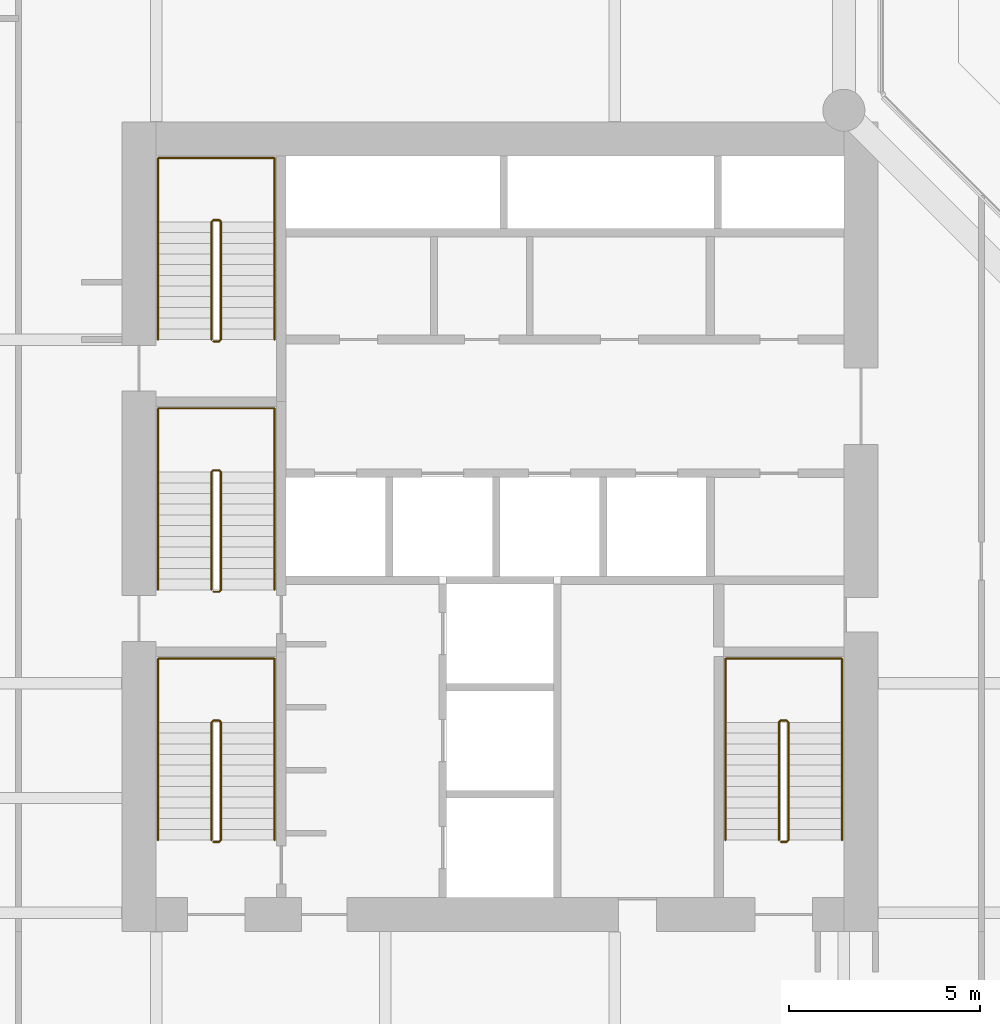
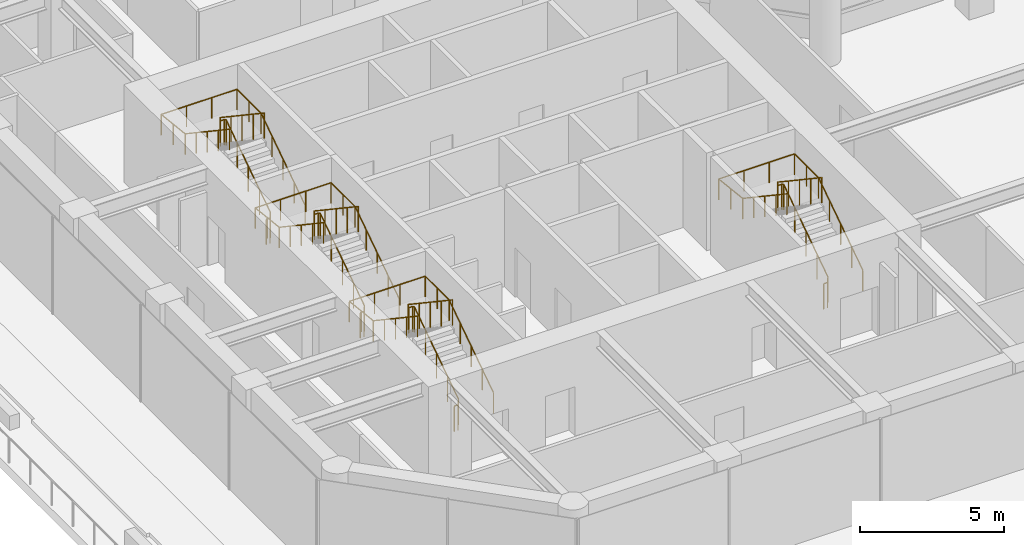
# One storey, part 30 of 31: 8 railings.
"""IFC4 building model written with IfcOpenShell, lengths in metres."""

from ifc_helpers import new_model, si_unit, direction, frame, origin, origin_2d, place, context, subcontext, project, spatial, circle, extrude, material, type_object, element, save


model = new_model("IFC4")

# Units and contexts
model_context = context("Model", 3, precision=1e-05, world=origin(), true_north=direction((0.0, 1.0)))
body_context = subcontext(model_context, "Body", "Model", "MODEL_VIEW")
ifc_project = project(units=[si_unit("LENGTHUNIT", "METRE"), si_unit("AREAUNIT", "SQUARE_METRE"), si_unit("VOLUMEUNIT", "CUBIC_METRE"), si_unit("PLANEANGLEUNIT", "RADIAN"), si_unit("MASSUNIT", "GRAM", prefix="KILO")], contexts=[model_context])

# Site, building, storey
site_placement = place(None, origin())
site = spatial("IfcSite", under=ifc_project, at=site_placement, CompositionType="ELEMENT")
building_placement = place(site_placement, origin())
building = spatial("IfcBuilding", under=site, at=building_placement, Name="Welwitschia Terrace Campus", CompositionType="ELEMENT")
storey_placement = place(building_placement, frame((0.0, 0.0, 11.0)))
storey = spatial("IfcBuildingStorey", under=building, at=storey_placement, Name="L02", CompositionType="ELEMENT", Elevation=11.0)

# Railings
ifc_material_1 = material(Name="Steel S355", Category="steel")
railing_type_1 = type_object("IfcRailingType", Name="Stair guard 1100", PredefinedType="GUARDRAIL", material=ifc_material_1)
railing_1_placement = place(storey_placement, frame((7.5, 6.85009765625, 0.0)))
element("IfcRailing", 1, at=railing_1_placement, inside=storey, type_object=railing_type_1, Name="L02 S1 stair guard", PredefinedType="GUARDRAIL", context=body_context, shape_type="SweptSolid", body=[
    extrude(circle(Radius=0.02392578125, at=origin_2d()), frame((0.0, 0.0, 1.076171875), z_axis=(1.0, 0.0, 0.0), x_axis=(0.0, 1.0, 0.0)), (0.0, 0.0, 1.0), 0.14990234375),
    extrude(circle(Radius=0.02392578125, at=origin_2d()), frame((0.14990234375, 0.0, 1.076171875), z_axis=(0.249802250048, 0.248583702486, 0.935844527007), x_axis=(-0.705375805398, 0.708833529934, 0.0)), (0.0, 0.0, 1.0), 0.200439453125),
    extrude(circle(Radius=0.02392578125, at=origin_2d()), frame((0.199951171875, 0.0498046875, 1.263671875), z_axis=(0.0, 0.830913701846, 0.55640131208), x_axis=(-1.0, 0.0, 0.0)), (0.0, 0.0, 1.0), 3.706787109375),
    extrude(circle(Radius=0.02392578125, at=origin_2d()), frame((0.199951171875, 3.1298828125, 3.326171875), z_axis=(-0.707106781187, 0.707106781187, 0.0), x_axis=(-0.707106781187, -0.707106781187, 0.0)), (0.0, 0.0, 1.0), 0.07080078125),
    extrude(circle(Radius=0.02392578125, at=origin_2d()), frame((0.14990234375, 3.179931640625, 3.326171875), z_axis=(-1.0, 0.0, 0.0), x_axis=(0.0, -1.0, 0.0)), (0.0, 0.0, 1.0), 0.14990234375),
    extrude(circle(Radius=0.02392578125, at=origin_2d()), frame((0.0, 3.179931640625, 3.326171875), z_axis=(-0.249726431254, -0.249726431254, 0.935560483917), x_axis=(0.707106781187, -0.707106781187, 0.0)), (0.0, 0.0, 1.0), 0.200439453125),
    extrude(circle(Radius=0.02392578125, at=origin_2d()), frame((-0.050048828125, 3.1298828125, 3.513671875), z_axis=(0.0, -0.830913701846, 0.55640131208), x_axis=(1.0, 0.0, 0.0)), (0.0, 0.0, 1.0), 3.706787109375),
    extrude(circle(Radius=0.02099609375, at=origin_2d()), origin(), (0.0, 0.0, 1.0), 1.052001953125),
    extrude(circle(Radius=0.02099609375, at=origin_2d()), frame((0.14990234375, 0.0, 0.0)), (0.0, 0.0, 1.0), 1.052001953125),
    extrude(circle(Radius=0.02099609375, at=origin_2d()), frame((0.199951171875, 0.0498046875, 0.1875)), (0.0, 0.0, 1.0), 1.052001953125),
    extrude(circle(Radius=0.02099609375, at=origin_2d()), frame((0.199951171875, 0.81982421875, 0.703125)), (0.0, 0.0, 1.0), 1.052001953125),
    extrude(circle(Radius=0.02099609375, at=origin_2d()), frame((0.199951171875, 1.58984375, 1.21875)), (0.0, 0.0, 1.0), 1.052001953125),
    extrude(circle(Radius=0.02099609375, at=origin_2d()), frame((0.199951171875, 2.35986328125, 1.734375)), (0.0, 0.0, 1.0), 1.052001953125),
    extrude(circle(Radius=0.02099609375, at=origin_2d()), frame((0.199951171875, 3.1298828125, 2.25)), (0.0, 0.0, 1.0), 1.052001953125),
    extrude(circle(Radius=0.02099609375, at=origin_2d()), frame((0.14990234375, 3.179931640625, 2.25)), (0.0, 0.0, 1.0), 1.052001953125),
    extrude(circle(Radius=0.02099609375, at=origin_2d()), frame((0.0, 3.179931640625, 2.25)), (0.0, 0.0, 1.0), 1.052001953125),
    extrude(circle(Radius=0.02099609375, at=origin_2d()), frame((-0.050048828125, 3.1298828125, 2.4375)), (0.0, 0.0, 1.0), 1.052001953125),
    extrude(circle(Radius=0.02099609375, at=origin_2d()), frame((-0.050048828125, 2.35986328125, 2.953125)), (0.0, 0.0, 1.0), 1.052001953125),
    extrude(circle(Radius=0.02099609375, at=origin_2d()), frame((-0.050048828125, 1.58984375, 3.46875)), (0.0, 0.0, 1.0), 1.052001953125),
    extrude(circle(Radius=0.02099609375, at=origin_2d()), frame((-0.050048828125, 0.81982421875, 3.984375)), (0.0, 0.0, 1.0), 1.052001953125),
    extrude(circle(Radius=0.02099609375, at=origin_2d()), frame((-0.050048828125, 0.0498046875, 4.5)), (0.0, 0.0, 1.0), 1.052001953125),
])
railing_2_placement = place(storey_placement, frame((7.5, 13.39990234375, 0.0)))
element("IfcRailing", 2, at=railing_2_placement, inside=storey, type_object=railing_type_1, Name="L02 S3 stair guard", PredefinedType="GUARDRAIL", context=body_context, shape_type="SweptSolid", body=[
    extrude(circle(Radius=0.02392578125, at=origin_2d()), frame((0.0, 0.0, 1.076171875), z_axis=(1.0, 0.0, 0.0), x_axis=(0.0, 1.0, 0.0)), (0.0, 0.0, 1.0), 0.14990234375),
    extrude(circle(Radius=0.02392578125, at=origin_2d()), frame((0.14990234375, 0.0, 1.076171875), z_axis=(0.249726431254, 0.249726431254, 0.935560483917), x_axis=(-0.707106781187, 0.707106781187, 0.0)), (0.0, 0.0, 1.0), 0.200439453125),
    extrude(circle(Radius=0.02392578125, at=origin_2d()), frame((0.199951171875, 0.050048828125, 1.263671875), z_axis=(0.0, 0.830913701846, 0.55640131208), x_axis=(-1.0, 0.0, 0.0)), (0.0, 0.0, 1.0), 3.706787109375),
    extrude(circle(Radius=0.02392578125, at=origin_2d()), frame((0.199951171875, 3.130126953125, 3.326171875), z_axis=(-0.707106781187, 0.707106781187, 0.0), x_axis=(-0.707106781187, -0.707106781187, 0.0)), (0.0, 0.0, 1.0), 0.07080078125),
    extrude(circle(Radius=0.02392578125, at=origin_2d()), frame((0.14990234375, 3.18017578125, 3.326171875), z_axis=(-1.0, 0.0, 0.0), x_axis=(0.0, -1.0, 0.0)), (0.0, 0.0, 1.0), 0.14990234375),
    extrude(circle(Radius=0.02392578125, at=origin_2d()), frame((0.0, 3.18017578125, 3.326171875), z_axis=(-0.249726431254, -0.249726431254, 0.935560483917), x_axis=(0.707106781187, -0.707106781187, 0.0)), (0.0, 0.0, 1.0), 0.200439453125),
    extrude(circle(Radius=0.02392578125, at=origin_2d()), frame((-0.050048828125, 3.130126953125, 3.513671875), z_axis=(0.0, -0.830913701846, 0.55640131208), x_axis=(1.0, 0.0, 0.0)), (0.0, 0.0, 1.0), 3.706787109375),
    extrude(circle(Radius=0.02099609375, at=origin_2d()), origin(), (0.0, 0.0, 1.0), 1.052001953125),
    extrude(circle(Radius=0.02099609375, at=origin_2d()), frame((0.14990234375, 0.0, 0.0)), (0.0, 0.0, 1.0), 1.052001953125),
    extrude(circle(Radius=0.02099609375, at=origin_2d()), frame((0.199951171875, 0.050048828125, 0.1875)), (0.0, 0.0, 1.0), 1.052001953125),
    extrude(circle(Radius=0.02099609375, at=origin_2d()), frame((0.199951171875, 0.820068359375, 0.703125)), (0.0, 0.0, 1.0), 1.052001953125),
    extrude(circle(Radius=0.02099609375, at=origin_2d()), frame((0.199951171875, 1.590087890625, 1.21875)), (0.0, 0.0, 1.0), 1.052001953125),
    extrude(circle(Radius=0.02099609375, at=origin_2d()), frame((0.199951171875, 2.360107421875, 1.734375)), (0.0, 0.0, 1.0), 1.052001953125),
    extrude(circle(Radius=0.02099609375, at=origin_2d()), frame((0.199951171875, 3.130126953125, 2.25)), (0.0, 0.0, 1.0), 1.052001953125),
    extrude(circle(Radius=0.02099609375, at=origin_2d()), frame((0.14990234375, 3.18017578125, 2.25)), (0.0, 0.0, 1.0), 1.052001953125),
    extrude(circle(Radius=0.02099609375, at=origin_2d()), frame((0.0, 3.18017578125, 2.25)), (0.0, 0.0, 1.0), 1.052001953125),
    extrude(circle(Radius=0.02099609375, at=origin_2d()), frame((-0.050048828125, 3.130126953125, 2.4375)), (0.0, 0.0, 1.0), 1.052001953125),
    extrude(circle(Radius=0.02099609375, at=origin_2d()), frame((-0.050048828125, 2.360107421875, 2.953125)), (0.0, 0.0, 1.0), 1.052001953125),
    extrude(circle(Radius=0.02099609375, at=origin_2d()), frame((-0.050048828125, 1.590087890625, 3.46875)), (0.0, 0.0, 1.0), 1.052001953125),
    extrude(circle(Radius=0.02099609375, at=origin_2d()), frame((-0.050048828125, 0.820068359375, 3.984375)), (0.0, 0.0, 1.0), 1.052001953125),
    extrude(circle(Radius=0.02099609375, at=origin_2d()), frame((-0.050048828125, 0.050048828125, 4.5)), (0.0, 0.0, 1.0), 1.052001953125),
])
railing_3_placement = place(storey_placement, frame((7.5, 19.949951171875, 0.0)))
element("IfcRailing", 3, at=railing_3_placement, inside=storey, type_object=railing_type_1, Name="L02 S4 stair guard", PredefinedType="GUARDRAIL", context=body_context, shape_type="SweptSolid", body=[
    extrude(circle(Radius=0.02392578125, at=origin_2d()), frame((0.0, 0.0, 1.076171875), z_axis=(1.0, 0.0, 0.0), x_axis=(0.0, 1.0, 0.0)), (0.0, 0.0, 1.0), 0.14990234375),
    extrude(circle(Radius=0.02392578125, at=origin_2d()), frame((0.14990234375, 0.0, 1.076171875), z_axis=(0.249726431254, 0.249726431254, 0.935560483917), x_axis=(-0.707106781187, 0.707106781187, 0.0)), (0.0, 0.0, 1.0), 0.200439453125),
    extrude(circle(Radius=0.02392578125, at=origin_2d()), frame((0.199951171875, 0.050048828125, 1.263671875), z_axis=(0.0, 0.830913701846, 0.55640131208), x_axis=(-1.0, 0.0, 0.0)), (0.0, 0.0, 1.0), 3.706787109375),
    extrude(circle(Radius=0.02392578125, at=origin_2d()), frame((0.199951171875, 3.130126953125, 3.326171875), z_axis=(-0.708833529934, 0.705375805398, 0.0), x_axis=(-0.705375805398, -0.708833529934, 0.0)), (0.0, 0.0, 1.0), 0.070556640625),
    extrude(circle(Radius=0.02392578125, at=origin_2d()), frame((0.14990234375, 3.179931640625, 3.326171875), z_axis=(-1.0, 0.0, 0.0), x_axis=(0.0, -1.0, 0.0)), (0.0, 0.0, 1.0), 0.14990234375),
    extrude(circle(Radius=0.02392578125, at=origin_2d()), frame((0.0, 3.179931640625, 3.326171875), z_axis=(-0.249802250048, -0.248583702486, 0.935844527007), x_axis=(0.705375805398, -0.708833529934, 0.0)), (0.0, 0.0, 1.0), 0.200439453125),
    extrude(circle(Radius=0.02392578125, at=origin_2d()), frame((-0.050048828125, 3.130126953125, 3.513671875), z_axis=(0.0, -0.830913701846, 0.55640131208), x_axis=(1.0, 0.0, 0.0)), (0.0, 0.0, 1.0), 3.706787109375),
    extrude(circle(Radius=0.02099609375, at=origin_2d()), origin(), (0.0, 0.0, 1.0), 1.052001953125),
    extrude(circle(Radius=0.02099609375, at=origin_2d()), frame((0.14990234375, 0.0, 0.0)), (0.0, 0.0, 1.0), 1.052001953125),
    extrude(circle(Radius=0.02099609375, at=origin_2d()), frame((0.199951171875, 0.050048828125, 0.1875)), (0.0, 0.0, 1.0), 1.052001953125),
    extrude(circle(Radius=0.02099609375, at=origin_2d()), frame((0.199951171875, 0.820068359375, 0.703125)), (0.0, 0.0, 1.0), 1.052001953125),
    extrude(circle(Radius=0.02099609375, at=origin_2d()), frame((0.199951171875, 1.590087890625, 1.21875)), (0.0, 0.0, 1.0), 1.052001953125),
    extrude(circle(Radius=0.02099609375, at=origin_2d()), frame((0.199951171875, 2.360107421875, 1.734375)), (0.0, 0.0, 1.0), 1.052001953125),
    extrude(circle(Radius=0.02099609375, at=origin_2d()), frame((0.199951171875, 3.130126953125, 2.25)), (0.0, 0.0, 1.0), 1.052001953125),
    extrude(circle(Radius=0.02099609375, at=origin_2d()), frame((0.14990234375, 3.179931640625, 2.25)), (0.0, 0.0, 1.0), 1.052001953125),
    extrude(circle(Radius=0.02099609375, at=origin_2d()), frame((0.0, 3.179931640625, 2.25)), (0.0, 0.0, 1.0), 1.052001953125),
    extrude(circle(Radius=0.02099609375, at=origin_2d()), frame((-0.050048828125, 3.130126953125, 2.4375)), (0.0, 0.0, 1.0), 1.052001953125),
    extrude(circle(Radius=0.02099609375, at=origin_2d()), frame((-0.050048828125, 2.360107421875, 2.953125)), (0.0, 0.0, 1.0), 1.052001953125),
    extrude(circle(Radius=0.02099609375, at=origin_2d()), frame((-0.050048828125, 1.590087890625, 3.46875)), (0.0, 0.0, 1.0), 1.052001953125),
    extrude(circle(Radius=0.02099609375, at=origin_2d()), frame((-0.050048828125, 0.820068359375, 3.984375)), (0.0, 0.0, 1.0), 1.052001953125),
    extrude(circle(Radius=0.02099609375, at=origin_2d()), frame((-0.050048828125, 0.050048828125, 4.5)), (0.0, 0.0, 1.0), 1.052001953125),
])
railing_4_placement = place(storey_placement, frame((22.35009765625, 6.85009765625, 0.0)))
element("IfcRailing", 4, at=railing_4_placement, inside=storey, type_object=railing_type_1, Name="L02 S2 stair guard", PredefinedType="GUARDRAIL", context=body_context, shape_type="SweptSolid", body=[
    extrude(circle(Radius=0.02392578125, at=origin_2d()), frame((0.0, 0.0, 1.076171875), z_axis=(1.0, 0.0, 0.0), x_axis=(0.0, 1.0, 0.0)), (0.0, 0.0, 1.0), 0.14990234375),
    extrude(circle(Radius=0.02392578125, at=origin_2d()), frame((0.14990234375, 0.0, 1.076171875), z_axis=(0.249802250048, 0.248583702486, 0.935844527007), x_axis=(-0.705375805398, 0.708833529934, 0.0)), (0.0, 0.0, 1.0), 0.200439453125),
    extrude(circle(Radius=0.02392578125, at=origin_2d()), frame((0.199951171875, 0.0498046875, 1.263671875), z_axis=(0.0, 0.830913701846, 0.55640131208), x_axis=(-1.0, 0.0, 0.0)), (0.0, 0.0, 1.0), 3.706787109375),
    extrude(circle(Radius=0.02392578125, at=origin_2d()), frame((0.199951171875, 3.1298828125, 3.326171875), z_axis=(-0.707106781187, 0.707106781187, 0.0), x_axis=(-0.707106781187, -0.707106781187, 0.0)), (0.0, 0.0, 1.0), 0.07080078125),
    extrude(circle(Radius=0.02392578125, at=origin_2d()), frame((0.14990234375, 3.179931640625, 3.326171875), z_axis=(-1.0, 0.0, 0.0), x_axis=(0.0, -1.0, 0.0)), (0.0, 0.0, 1.0), 0.14990234375),
    extrude(circle(Radius=0.02392578125, at=origin_2d()), frame((0.0, 3.179931640625, 3.326171875), z_axis=(-0.249726431254, -0.249726431254, 0.935560483917), x_axis=(0.707106781187, -0.707106781187, 0.0)), (0.0, 0.0, 1.0), 0.200439453125),
    extrude(circle(Radius=0.02392578125, at=origin_2d()), frame((-0.050048828125, 3.1298828125, 3.513671875), z_axis=(0.0, -0.830913701846, 0.55640131208), x_axis=(1.0, 0.0, 0.0)), (0.0, 0.0, 1.0), 3.706787109375),
    extrude(circle(Radius=0.02099609375, at=origin_2d()), origin(), (0.0, 0.0, 1.0), 1.052001953125),
    extrude(circle(Radius=0.02099609375, at=origin_2d()), frame((0.14990234375, 0.0, 0.0)), (0.0, 0.0, 1.0), 1.052001953125),
    extrude(circle(Radius=0.02099609375, at=origin_2d()), frame((0.199951171875, 0.0498046875, 0.1875)), (0.0, 0.0, 1.0), 1.052001953125),
    extrude(circle(Radius=0.02099609375, at=origin_2d()), frame((0.199951171875, 0.81982421875, 0.703125)), (0.0, 0.0, 1.0), 1.052001953125),
    extrude(circle(Radius=0.02099609375, at=origin_2d()), frame((0.199951171875, 1.58984375, 1.21875)), (0.0, 0.0, 1.0), 1.052001953125),
    extrude(circle(Radius=0.02099609375, at=origin_2d()), frame((0.199951171875, 2.35986328125, 1.734375)), (0.0, 0.0, 1.0), 1.052001953125),
    extrude(circle(Radius=0.02099609375, at=origin_2d()), frame((0.199951171875, 3.1298828125, 2.25)), (0.0, 0.0, 1.0), 1.052001953125),
    extrude(circle(Radius=0.02099609375, at=origin_2d()), frame((0.14990234375, 3.179931640625, 2.25)), (0.0, 0.0, 1.0), 1.052001953125),
    extrude(circle(Radius=0.02099609375, at=origin_2d()), frame((0.0, 3.179931640625, 2.25)), (0.0, 0.0, 1.0), 1.052001953125),
    extrude(circle(Radius=0.02099609375, at=origin_2d()), frame((-0.050048828125, 3.1298828125, 2.4375)), (0.0, 0.0, 1.0), 1.052001953125),
    extrude(circle(Radius=0.02099609375, at=origin_2d()), frame((-0.050048828125, 2.35986328125, 2.953125)), (0.0, 0.0, 1.0), 1.052001953125),
    extrude(circle(Radius=0.02099609375, at=origin_2d()), frame((-0.050048828125, 1.58984375, 3.46875)), (0.0, 0.0, 1.0), 1.052001953125),
    extrude(circle(Radius=0.02099609375, at=origin_2d()), frame((-0.050048828125, 0.81982421875, 3.984375)), (0.0, 0.0, 1.0), 1.052001953125),
    extrude(circle(Radius=0.02099609375, at=origin_2d()), frame((-0.050048828125, 0.0498046875, 4.5)), (0.0, 0.0, 1.0), 1.052001953125),
])
ifc_material_2 = material(Name="Steel S355", Category="steel")
railing_type_2 = type_object("IfcRailingType", Name="Stair handrail 900", PredefinedType="HANDRAIL", material=ifc_material_2)
railing_5_placement = place(storey_placement, frame((9.10009765625, 6.89990234375, 0.1875)))
element("IfcRailing", 5, at=railing_5_placement, inside=storey, type_object=railing_type_2, Name="L02 S1 stair handrail", PredefinedType="HANDRAIL", context=body_context, shape_type="SweptSolid", body=[
    extrude(circle(Radius=0.02392578125, at=origin_2d()), frame((0.0, 0.0, 0.8759765625), z_axis=(0.0, 0.830913701846, 0.55640131208), x_axis=(-1.0, 0.0, 0.0)), (0.0, 0.0, 1.0), 3.706787109375),
    extrude(circle(Radius=0.02392578125, at=origin_2d()), frame((0.0, 3.080078125, 2.9384765625), z_axis=(0.0, 1.0, 0.0), x_axis=(-1.0, 0.0, 0.0)), (0.0, 0.0, 1.0), 1.669921875),
    extrude(circle(Radius=0.02392578125, at=origin_2d()), frame((0.0, 4.75, 2.9384765625), z_axis=(-1.0, 0.0, 0.0), x_axis=(0.0, -1.0, 0.0)), (0.0, 0.0, 1.0), 3.050048828125),
    extrude(circle(Radius=0.02392578125, at=origin_2d()), frame((-3.050048828125, 4.75, 2.9384765625), z_axis=(0.0, -0.993755503435, 0.111579565298), x_axis=(1.0, 0.0, 0.0)), (0.0, 0.0, 1.0), 1.680419921875),
    extrude(circle(Radius=0.02392578125, at=origin_2d()), frame((-3.050048828125, 3.080078125, 3.1259765625), z_axis=(0.0, -0.830913701846, 0.55640131208), x_axis=(1.0, 0.0, 0.0)), (0.0, 0.0, 1.0), 3.706787109375),
    extrude(circle(Radius=0.02099609375, at=origin_2d()), origin(), (0.0, 0.0, 1.0), 0.851806640625),
    extrude(circle(Radius=0.02099609375, at=origin_2d()), frame((0.0, 0.77001953125, 0.515625)), (0.0, 0.0, 1.0), 0.851806640625),
    extrude(circle(Radius=0.02099609375, at=origin_2d()), frame((0.0, 1.5400390625, 1.03125)), (0.0, 0.0, 1.0), 0.851806640625),
    extrude(circle(Radius=0.02099609375, at=origin_2d()), frame((0.0, 2.31005859375, 1.546875)), (0.0, 0.0, 1.0), 0.851806640625),
    extrude(circle(Radius=0.02099609375, at=origin_2d()), frame((0.0, 3.080078125, 2.0625)), (0.0, 0.0, 1.0), 0.851806640625),
    extrude(circle(Radius=0.02099609375, at=origin_2d()), frame((0.0, 3.9150390625, 2.0625)), (0.0, 0.0, 1.0), 0.851806640625),
    extrude(circle(Radius=0.02099609375, at=origin_2d()), frame((0.0, 4.75, 2.0625)), (0.0, 0.0, 1.0), 0.851806640625),
    extrude(circle(Radius=0.02099609375, at=origin_2d()), frame((-1.0166015625, 4.75, 2.0625)), (0.0, 0.0, 1.0), 0.851806640625),
    extrude(circle(Radius=0.02099609375, at=origin_2d()), frame((-2.033447265625, 4.75, 2.0625)), (0.0, 0.0, 1.0), 0.851806640625),
    extrude(circle(Radius=0.02099609375, at=origin_2d()), frame((-3.050048828125, 4.75, 2.0625)), (0.0, 0.0, 1.0), 0.851806640625),
    extrude(circle(Radius=0.02099609375, at=origin_2d()), frame((-3.050048828125, 3.9150390625, 2.15625)), (0.0, 0.0, 1.0), 0.851806640625),
    extrude(circle(Radius=0.02099609375, at=origin_2d()), frame((-3.050048828125, 3.080078125, 2.25)), (0.0, 0.0, 1.0), 0.851806640625),
    extrude(circle(Radius=0.02099609375, at=origin_2d()), frame((-3.050048828125, 2.31005859375, 2.765625)), (0.0, 0.0, 1.0), 0.851806640625),
    extrude(circle(Radius=0.02099609375, at=origin_2d()), frame((-3.050048828125, 1.5400390625, 3.28125)), (0.0, 0.0, 1.0), 0.851806640625),
    extrude(circle(Radius=0.02099609375, at=origin_2d()), frame((-3.050048828125, 0.77001953125, 3.796875)), (0.0, 0.0, 1.0), 0.851806640625),
    extrude(circle(Radius=0.02099609375, at=origin_2d()), frame((-3.050048828125, 0.0, 4.3125)), (0.0, 0.0, 1.0), 0.851806640625),
])
railing_6_placement = place(storey_placement, frame((9.10009765625, 13.449951171875, 0.1875)))
element("IfcRailing", 6, at=railing_6_placement, inside=storey, type_object=railing_type_2, Name="L02 S3 stair handrail", PredefinedType="HANDRAIL", context=body_context, shape_type="SweptSolid", body=[
    extrude(circle(Radius=0.02392578125, at=origin_2d()), frame((0.0, 0.0, 0.8759765625), z_axis=(0.0, 0.830913701846, 0.55640131208), x_axis=(-1.0, 0.0, 0.0)), (0.0, 0.0, 1.0), 3.706787109375),
    extrude(circle(Radius=0.02392578125, at=origin_2d()), frame((0.0, 3.080078125, 2.9384765625), z_axis=(0.0, 1.0, 0.0), x_axis=(-1.0, 0.0, 0.0)), (0.0, 0.0, 1.0), 1.669921875),
    extrude(circle(Radius=0.02392578125, at=origin_2d()), frame((0.0, 4.75, 2.9384765625), z_axis=(-1.0, 0.0, 0.0), x_axis=(0.0, -1.0, 0.0)), (0.0, 0.0, 1.0), 3.050048828125),
    extrude(circle(Radius=0.02392578125, at=origin_2d()), frame((-3.050048828125, 4.75, 2.9384765625), z_axis=(0.0, -0.993755503435, 0.111579565298), x_axis=(1.0, 0.0, 0.0)), (0.0, 0.0, 1.0), 1.680419921875),
    extrude(circle(Radius=0.02392578125, at=origin_2d()), frame((-3.050048828125, 3.080078125, 3.1259765625), z_axis=(0.0, -0.830913701846, 0.55640131208), x_axis=(1.0, 0.0, 0.0)), (0.0, 0.0, 1.0), 3.706787109375),
    extrude(circle(Radius=0.02099609375, at=origin_2d()), origin(), (0.0, 0.0, 1.0), 0.851806640625),
    extrude(circle(Radius=0.02099609375, at=origin_2d()), frame((0.0, 0.77001953125, 0.515625)), (0.0, 0.0, 1.0), 0.851806640625),
    extrude(circle(Radius=0.02099609375, at=origin_2d()), frame((0.0, 1.5400390625, 1.03125)), (0.0, 0.0, 1.0), 0.851806640625),
    extrude(circle(Radius=0.02099609375, at=origin_2d()), frame((0.0, 2.31005859375, 1.546875)), (0.0, 0.0, 1.0), 0.851806640625),
    extrude(circle(Radius=0.02099609375, at=origin_2d()), frame((0.0, 3.080078125, 2.0625)), (0.0, 0.0, 1.0), 0.851806640625),
    extrude(circle(Radius=0.02099609375, at=origin_2d()), frame((0.0, 3.9150390625, 2.0625)), (0.0, 0.0, 1.0), 0.851806640625),
    extrude(circle(Radius=0.02099609375, at=origin_2d()), frame((0.0, 4.75, 2.0625)), (0.0, 0.0, 1.0), 0.851806640625),
    extrude(circle(Radius=0.02099609375, at=origin_2d()), frame((-1.0166015625, 4.75, 2.0625)), (0.0, 0.0, 1.0), 0.851806640625),
    extrude(circle(Radius=0.02099609375, at=origin_2d()), frame((-2.033447265625, 4.75, 2.0625)), (0.0, 0.0, 1.0), 0.851806640625),
    extrude(circle(Radius=0.02099609375, at=origin_2d()), frame((-3.050048828125, 4.75, 2.0625)), (0.0, 0.0, 1.0), 0.851806640625),
    extrude(circle(Radius=0.02099609375, at=origin_2d()), frame((-3.050048828125, 3.9150390625, 2.15625)), (0.0, 0.0, 1.0), 0.851806640625),
    extrude(circle(Radius=0.02099609375, at=origin_2d()), frame((-3.050048828125, 3.080078125, 2.25)), (0.0, 0.0, 1.0), 0.851806640625),
    extrude(circle(Radius=0.02099609375, at=origin_2d()), frame((-3.050048828125, 2.31005859375, 2.765625)), (0.0, 0.0, 1.0), 0.851806640625),
    extrude(circle(Radius=0.02099609375, at=origin_2d()), frame((-3.050048828125, 1.5400390625, 3.28125)), (0.0, 0.0, 1.0), 0.851806640625),
    extrude(circle(Radius=0.02099609375, at=origin_2d()), frame((-3.050048828125, 0.77001953125, 3.796875)), (0.0, 0.0, 1.0), 0.851806640625),
    extrude(circle(Radius=0.02099609375, at=origin_2d()), frame((-3.050048828125, 0.0, 4.3125)), (0.0, 0.0, 1.0), 0.851806640625),
])
railing_7_placement = place(storey_placement, frame((9.10009765625, 20.0, 0.1875)))
element("IfcRailing", 7, at=railing_7_placement, inside=storey, type_object=railing_type_2, Name="L02 S4 stair handrail", PredefinedType="HANDRAIL", context=body_context, shape_type="SweptSolid", body=[
    extrude(circle(Radius=0.02392578125, at=origin_2d()), frame((0.0, 0.0, 0.8759765625), z_axis=(0.0, 0.830913701846, 0.55640131208), x_axis=(-1.0, 0.0, 0.0)), (0.0, 0.0, 1.0), 3.706787109375),
    extrude(circle(Radius=0.02392578125, at=origin_2d()), frame((0.0, 3.080078125, 2.9384765625), z_axis=(0.0, 1.0, 0.0), x_axis=(-1.0, 0.0, 0.0)), (0.0, 0.0, 1.0), 1.669921875),
    extrude(circle(Radius=0.02392578125, at=origin_2d()), frame((0.0, 4.75, 2.9384765625), z_axis=(-1.0, 0.0, 0.0), x_axis=(0.0, -1.0, 0.0)), (0.0, 0.0, 1.0), 3.050048828125),
    extrude(circle(Radius=0.02392578125, at=origin_2d()), frame((-3.050048828125, 4.75, 2.9384765625), z_axis=(0.0, -0.993755503435, 0.111579565298), x_axis=(1.0, 0.0, 0.0)), (0.0, 0.0, 1.0), 1.680419921875),
    extrude(circle(Radius=0.02392578125, at=origin_2d()), frame((-3.050048828125, 3.080078125, 3.1259765625), z_axis=(0.0, -0.830913701846, 0.55640131208), x_axis=(1.0, 0.0, 0.0)), (0.0, 0.0, 1.0), 3.706787109375),
    extrude(circle(Radius=0.02099609375, at=origin_2d()), origin(), (0.0, 0.0, 1.0), 0.851806640625),
    extrude(circle(Radius=0.02099609375, at=origin_2d()), frame((0.0, 0.77001953125, 0.515625)), (0.0, 0.0, 1.0), 0.851806640625),
    extrude(circle(Radius=0.02099609375, at=origin_2d()), frame((0.0, 1.5400390625, 1.03125)), (0.0, 0.0, 1.0), 0.851806640625),
    extrude(circle(Radius=0.02099609375, at=origin_2d()), frame((0.0, 2.31005859375, 1.546875)), (0.0, 0.0, 1.0), 0.851806640625),
    extrude(circle(Radius=0.02099609375, at=origin_2d()), frame((0.0, 3.080078125, 2.0625)), (0.0, 0.0, 1.0), 0.851806640625),
    extrude(circle(Radius=0.02099609375, at=origin_2d()), frame((0.0, 3.9150390625, 2.0625)), (0.0, 0.0, 1.0), 0.851806640625),
    extrude(circle(Radius=0.02099609375, at=origin_2d()), frame((0.0, 4.75, 2.0625)), (0.0, 0.0, 1.0), 0.851806640625),
    extrude(circle(Radius=0.02099609375, at=origin_2d()), frame((-1.0166015625, 4.75, 2.0625)), (0.0, 0.0, 1.0), 0.851806640625),
    extrude(circle(Radius=0.02099609375, at=origin_2d()), frame((-2.033447265625, 4.75, 2.0625)), (0.0, 0.0, 1.0), 0.851806640625),
    extrude(circle(Radius=0.02099609375, at=origin_2d()), frame((-3.050048828125, 4.75, 2.0625)), (0.0, 0.0, 1.0), 0.851806640625),
    extrude(circle(Radius=0.02099609375, at=origin_2d()), frame((-3.050048828125, 3.9150390625, 2.15625)), (0.0, 0.0, 1.0), 0.851806640625),
    extrude(circle(Radius=0.02099609375, at=origin_2d()), frame((-3.050048828125, 3.080078125, 2.25)), (0.0, 0.0, 1.0), 0.851806640625),
    extrude(circle(Radius=0.02099609375, at=origin_2d()), frame((-3.050048828125, 2.31005859375, 2.765625)), (0.0, 0.0, 1.0), 0.851806640625),
    extrude(circle(Radius=0.02099609375, at=origin_2d()), frame((-3.050048828125, 1.5400390625, 3.28125)), (0.0, 0.0, 1.0), 0.851806640625),
    extrude(circle(Radius=0.02099609375, at=origin_2d()), frame((-3.050048828125, 0.77001953125, 3.796875)), (0.0, 0.0, 1.0), 0.851806640625),
    extrude(circle(Radius=0.02099609375, at=origin_2d()), frame((-3.050048828125, 0.0, 4.3125)), (0.0, 0.0, 1.0), 0.851806640625),
])
railing_8_placement = place(storey_placement, frame((23.949951171875, 6.89990234375, 0.1875)))
element("IfcRailing", 8, at=railing_8_placement, inside=storey, type_object=railing_type_2, Name="L02 S2 stair handrail", PredefinedType="HANDRAIL", context=body_context, shape_type="SweptSolid", body=[
    extrude(circle(Radius=0.02392578125, at=origin_2d()), frame((0.0, 0.0, 0.8759765625), z_axis=(0.0, 0.830913701846, 0.55640131208), x_axis=(-1.0, 0.0, 0.0)), (0.0, 0.0, 1.0), 3.706787109375),
    extrude(circle(Radius=0.02392578125, at=origin_2d()), frame((0.0, 3.080078125, 2.9384765625), z_axis=(0.0, 1.0, 0.0), x_axis=(-1.0, 0.0, 0.0)), (0.0, 0.0, 1.0), 1.669921875),
    extrude(circle(Radius=0.02392578125, at=origin_2d()), frame((0.0, 4.75, 2.9384765625), z_axis=(-1.0, 0.0, 0.0), x_axis=(0.0, -1.0, 0.0)), (0.0, 0.0, 1.0), 3.050048828125),
    extrude(circle(Radius=0.02392578125, at=origin_2d()), frame((-3.050048828125, 4.75, 2.9384765625), z_axis=(0.0, -0.993755503435, 0.111579565298), x_axis=(1.0, 0.0, 0.0)), (0.0, 0.0, 1.0), 1.680419921875),
    extrude(circle(Radius=0.02392578125, at=origin_2d()), frame((-3.050048828125, 3.080078125, 3.1259765625), z_axis=(0.0, -0.830913701846, 0.55640131208), x_axis=(1.0, 0.0, 0.0)), (0.0, 0.0, 1.0), 3.706787109375),
    extrude(circle(Radius=0.02099609375, at=origin_2d()), origin(), (0.0, 0.0, 1.0), 0.851806640625),
    extrude(circle(Radius=0.02099609375, at=origin_2d()), frame((0.0, 0.77001953125, 0.515625)), (0.0, 0.0, 1.0), 0.851806640625),
    extrude(circle(Radius=0.02099609375, at=origin_2d()), frame((0.0, 1.5400390625, 1.03125)), (0.0, 0.0, 1.0), 0.851806640625),
    extrude(circle(Radius=0.02099609375, at=origin_2d()), frame((0.0, 2.31005859375, 1.546875)), (0.0, 0.0, 1.0), 0.851806640625),
    extrude(circle(Radius=0.02099609375, at=origin_2d()), frame((0.0, 3.080078125, 2.0625)), (0.0, 0.0, 1.0), 0.851806640625),
    extrude(circle(Radius=0.02099609375, at=origin_2d()), frame((0.0, 3.9150390625, 2.0625)), (0.0, 0.0, 1.0), 0.851806640625),
    extrude(circle(Radius=0.02099609375, at=origin_2d()), frame((0.0, 4.75, 2.0625)), (0.0, 0.0, 1.0), 0.851806640625),
    extrude(circle(Radius=0.02099609375, at=origin_2d()), frame((-1.0166015625, 4.75, 2.0625)), (0.0, 0.0, 1.0), 0.851806640625),
    extrude(circle(Radius=0.02099609375, at=origin_2d()), frame((-2.033447265625, 4.75, 2.0625)), (0.0, 0.0, 1.0), 0.851806640625),
    extrude(circle(Radius=0.02099609375, at=origin_2d()), frame((-3.050048828125, 4.75, 2.0625)), (0.0, 0.0, 1.0), 0.851806640625),
    extrude(circle(Radius=0.02099609375, at=origin_2d()), frame((-3.050048828125, 3.9150390625, 2.15625)), (0.0, 0.0, 1.0), 0.851806640625),
    extrude(circle(Radius=0.02099609375, at=origin_2d()), frame((-3.050048828125, 3.080078125, 2.25)), (0.0, 0.0, 1.0), 0.851806640625),
    extrude(circle(Radius=0.02099609375, at=origin_2d()), frame((-3.050048828125, 2.31005859375, 2.765625)), (0.0, 0.0, 1.0), 0.851806640625),
    extrude(circle(Radius=0.02099609375, at=origin_2d()), frame((-3.050048828125, 1.5400390625, 3.28125)), (0.0, 0.0, 1.0), 0.851806640625),
    extrude(circle(Radius=0.02099609375, at=origin_2d()), frame((-3.050048828125, 0.77001953125, 3.796875)), (0.0, 0.0, 1.0), 0.851806640625),
    extrude(circle(Radius=0.02099609375, at=origin_2d()), frame((-3.050048828125, 0.0, 4.3125)), (0.0, 0.0, 1.0), 0.851806640625),
])

save(model, "model.ifc")
